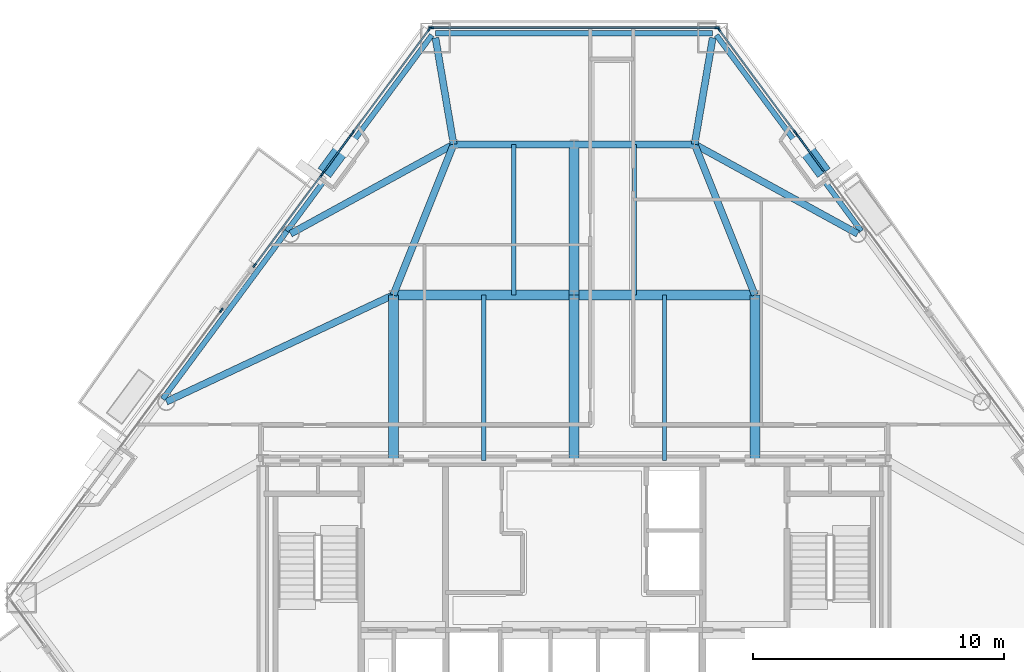
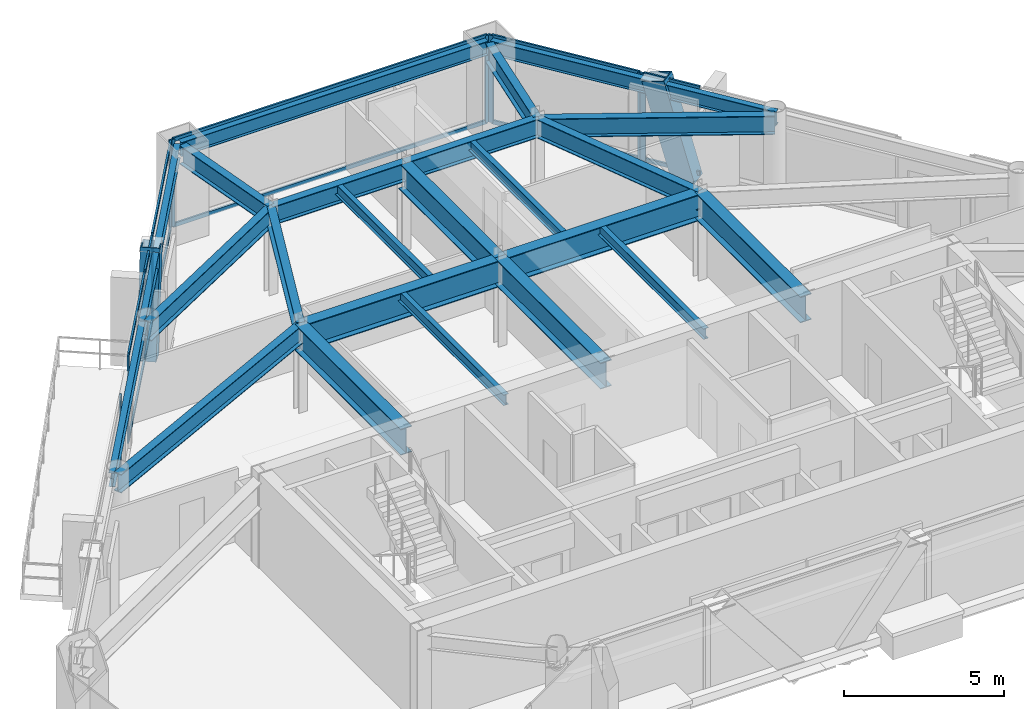
# One storey, part 4 of 11: 26 members, 23 beams, 7 elements without a shape of their own.
"""IFC4 building model written with IfcOpenShell, lengths in metres."""

from ifc_helpers import new_model, si_unit, direction, frame, origin, origin_2d, place, context, subcontext, project, spatial, rectangle, hollow_rectangle, i_section, extrude, material, layer, layer_set, material_profile, profile_set, type_object, element, aggregate, save


model = new_model("IFC4")

# Units and contexts
model_context = context("Model", 3, precision=1e-05, world=origin(), true_north=direction((0.0, 1.0)))
body_context = subcontext(model_context, "Body", "Model", "MODEL_VIEW")
ifc_project = project(units=[si_unit("LENGTHUNIT", "METRE"), si_unit("AREAUNIT", "SQUARE_METRE"), si_unit("VOLUMEUNIT", "CUBIC_METRE"), si_unit("PLANEANGLEUNIT", "RADIAN"), si_unit("MASSUNIT", "GRAM", prefix="KILO")], contexts=[model_context])

# Site, building, storey
site_placement = place(None, origin())
site = spatial("IfcSite", under=ifc_project, at=site_placement, CompositionType="ELEMENT")
building_placement = place(site_placement, origin())
building = spatial("IfcBuilding", under=site, at=building_placement, Name="Talgorran Terracotta Tower", CompositionType="ELEMENT")
storey_placement = place(building_placement, frame((0.0, 0.0, 114.0)))
storey = spatial("IfcBuildingStorey", under=building, at=storey_placement, Name="L29", CompositionType="ELEMENT", Elevation=114.0)

# Beams
ifc_material_1 = material(Name="Steel Grade 350 (350L0)", Category="steel")
ifc_material_profile_1 = material_profile(ifc_material_1, i_section(OverallWidth=0.39990234375, OverallDepth=1.0, WebThickness=0.01611328125, FlangeThickness=0.031005859375, at=origin_2d()), Name="1000WB296")
ifc_profile_set_1 = profile_set([ifc_material_profile_1], Name="Steel Grade 350 (350L0)")
beam_type_1 = type_object("IfcBeamType", Name="BM_1000WB296", PredefinedType="BEAM", material=ifc_profile_set_1)
for number, where, z_axis, x_axis, name in (
    (1, (-7.199951171875, -4.199951171875, 2.820068359375), (0.0, 1.0, 0.0), (-1.0, 0.0, 0.0), "L29 Floor Girder G01"),
    (2, (0.0, -4.199951171875, 2.820068359375), (0.0, 1.0, 0.0), (-1.0, 0.0, 0.0), "L29 Floor Girder G02"),
    (3, (7.199951171875, -4.199951171875, 2.820068359375), (0.0, 1.0, 0.0), (-1.0, 0.0, 0.0), "L29 Floor Girder G03"),
):
    element("IfcBeam", number, at=place(storey_placement, frame(where, z_axis=z_axis, x_axis=x_axis)), inside=storey, type_object=beam_type_1, Name=name, PredefinedType="BEAM", context=body_context, shape_type="SweptSolid", body=[
        extrude(i_section(OverallWidth=0.39990234375, OverallDepth=1.0, WebThickness=0.01611328125, FlangeThickness=0.031005859375, at=origin_2d()), origin(), (0.0, 0.0, 1.0), 6.599853515625),
    ])
for number, where, z_axis, x_axis, name in (
    (4, (-7.199951171875, 2.39990234375, 2.820068359375), (1.0, 0.0, 0.0), (0.0, 1.0, 0.0), "L29 Floor Girder G04"),
    (5, (0.0, 2.39990234375, 2.820068359375), (1.0, 0.0, 0.0), (0.0, 1.0, 0.0), "L29 Floor Girder G05"),
):
    element("IfcBeam", number, at=place(storey_placement, frame(where, z_axis=z_axis, x_axis=x_axis)), inside=storey, type_object=beam_type_1, Name=name, PredefinedType="BEAM", context=body_context, shape_type="SweptSolid", body=[
        extrude(i_section(OverallWidth=0.39990234375, OverallDepth=1.0, WebThickness=0.01611328125, FlangeThickness=0.031005859375, at=origin_2d()), origin(), (0.0, 0.0, 1.0), 7.199951171875),
    ])
beam_1_placement = place(storey_placement, frame((0.0, 2.39990234375, 2.820068359375), z_axis=(0.0, 1.0, 0.0), x_axis=(-1.0, 0.0, 0.0)))
element("IfcBeam", 6, at=beam_1_placement, inside=storey, type_object=beam_type_1, Name="L29 Floor Girder G09", PredefinedType="BEAM", context=body_context, shape_type="SweptSolid", body=[
    extrude(i_section(OverallWidth=0.39990234375, OverallDepth=1.0, WebThickness=0.01611328125, FlangeThickness=0.031005859375, at=origin_2d()), origin(), (0.0, 0.0, 1.0), 6.0),
])
ifc_material_2 = material(Name="Steel S355 (300PLUS)", Category="steel")
ifc_material_profile_2 = material_profile(ifc_material_2, i_section(OverallWidth=0.27490234375, OverallDepth=0.7080078125, WebThickness=0.011962890625, FlangeThickness=0.02490234375, at=origin_2d()), Name="700WB173")
ifc_profile_set_2 = profile_set([ifc_material_profile_2], Name="Steel S355 (300PLUS)")
beam_type_2 = type_object("IfcBeamType", Name="BM_700WB173", PredefinedType="BEAM", material=ifc_profile_set_2)
beam_2_placement = place(storey_placement, frame((-7.199951171875, 2.39990234375, 2.966064453125), z_axis=(-0.904850249914, -0.425729990992, 0.0), x_axis=(0.425729990992, -0.904850249914, 0.0)))
element("IfcBeam", 7, at=beam_2_placement, inside=storey, type_object=beam_type_2, Name="L29 Floor Girder G06", PredefinedType="BEAM", context=body_context, shape_type="SweptSolid", body=[
    extrude(i_section(OverallWidth=0.27490234375, OverallDepth=0.7080078125, WebThickness=0.011962890625, FlangeThickness=0.02490234375, at=origin_2d()), origin(), (0.0, 0.0, 1.0), 9.99609375),
])
for number, where, z_axis, x_axis, name in (
    (8, (-7.199951171875, 2.39990234375, 2.966064453125), (0.371377648723, 0.928481901832, 0.0), (-0.928481901832, 0.371377648723, 0.0), "L29 Floor Girder G08"),
    (9, (7.199951171875, 2.39990234375, 2.966064453125), (-0.371377648723, 0.928481901832, 0.0), (-0.928481901832, -0.371377648723, 0.0), "L29 Floor Girder G10"),
):
    element("IfcBeam", number, at=place(storey_placement, frame(where, z_axis=z_axis, x_axis=x_axis)), inside=storey, type_object=beam_type_2, Name=name, PredefinedType="BEAM", context=body_context, shape_type="SweptSolid", body=[
        extrude(i_section(OverallWidth=0.27490234375, OverallDepth=0.7080078125, WebThickness=0.011962890625, FlangeThickness=0.02490234375, at=origin_2d()), origin(), (0.0, 0.0, 1.0), 6.462158203125),
    ])
for number, where, z_axis, x_axis, name in (
    (10, (-4.800048828125, 8.39990234375, 2.966064453125), (1.0, 0.0, 0.0), (0.0, 1.0, 0.0), "L29 Floor Girder G11"),
    (11, (0.0, 8.39990234375, 2.966064453125), (1.0, 0.0, 0.0), (0.0, 1.0, 0.0), "L29 Floor Girder G12"),
):
    element("IfcBeam", number, at=place(storey_placement, frame(where, z_axis=z_axis, x_axis=x_axis)), inside=storey, type_object=beam_type_2, Name=name, PredefinedType="BEAM", context=body_context, shape_type="SweptSolid", body=[
        extrude(i_section(OverallWidth=0.27490234375, OverallDepth=0.7080078125, WebThickness=0.011962890625, FlangeThickness=0.02490234375, at=origin_2d()), origin(), (0.0, 0.0, 1.0), 4.800048828125),
    ])
for number, where, z_axis, x_axis, name in (
    (12, (-4.800048828125, 8.39990234375, 2.966064453125), (-0.876707979091, -0.481022992587, 0.0), (0.481022992587, -0.876707979091, 0.0), "L29 Floor Girder G13"),
    (13, (4.800048828125, 8.39990234375, 2.966064453125), (0.876707979091, -0.481022992587, 0.0), (0.481022992587, 0.876707979091, 0.0), "L29 Floor Girder G14"),
):
    element("IfcBeam", number, at=place(storey_placement, frame(where, z_axis=z_axis, x_axis=x_axis)), inside=storey, type_object=beam_type_2, Name=name, PredefinedType="BEAM", context=body_context, shape_type="SweptSolid", body=[
        extrude(i_section(OverallWidth=0.27490234375, OverallDepth=0.7080078125, WebThickness=0.011962890625, FlangeThickness=0.02490234375, at=origin_2d()), origin(), (0.0, 0.0, 1.0), 7.40966796875),
    ])
for number, where, z_axis, x_axis, name in (
    (14, (-4.800048828125, 8.39990234375, 2.966064453125), (-0.167884989688, 0.985806588656, 0.0), (-0.985806588656, -0.167884989688, 0.0), "L29 Floor Girder G15"),
    (15, (4.800048828125, 8.39990234375, 2.966064453125), (0.167884989688, 0.985806588656, 0.0), (-0.985806588656, 0.167884989688, 0.0), "L29 Floor Girder G16"),
):
    element("IfcBeam", number, at=place(storey_placement, frame(where, z_axis=z_axis, x_axis=x_axis)), inside=storey, type_object=beam_type_2, Name=name, PredefinedType="BEAM", context=body_context, shape_type="SweptSolid", body=[
        extrude(i_section(OverallWidth=0.27490234375, OverallDepth=0.7080078125, WebThickness=0.011962890625, FlangeThickness=0.02490234375, at=origin_2d()), origin(), (0.0, 0.0, 1.0), 4.302978515625),
    ])
ifc_material_profile_3 = material_profile(ifc_material_2, i_section(OverallWidth=0.177734375, OverallDepth=0.406494140625, WebThickness=0.0078125, FlangeThickness=0.0126953125, at=origin_2d()), Name="410UB59.7")
ifc_profile_set_3 = profile_set([ifc_material_profile_3], Name="Steel S355 (300PLUS)")
beam_type_3 = type_object("IfcBeamType", Name="BM_JS_410UB60", PredefinedType="JOIST", material=ifc_profile_set_3)
for number, where, z_axis, x_axis, name in (
    (16, (-3.60009765625, -4.199951171875, 3.11669921875), (0.0, 1.0, 0.0), (-1.0, 0.0, 0.0), "L29 Secondary Joist J01"),
    (17, (3.60009765625, -4.199951171875, 3.11669921875), (0.0, 1.0, 0.0), (-1.0, 0.0, 0.0), "L29 Secondary Joist J02"),
):
    element("IfcBeam", number, at=place(storey_placement, frame(where, z_axis=z_axis, x_axis=x_axis)), inside=storey, type_object=beam_type_3, Name=name, PredefinedType="JOIST", context=body_context, shape_type="SweptSolid", body=[
        extrude(i_section(OverallWidth=0.177734375, OverallDepth=0.406494140625, WebThickness=0.0078125, FlangeThickness=0.0126953125, at=origin_2d()), origin(), (0.0, 0.0, 1.0), 6.599853515625),
    ])
for number, where, z_axis, x_axis, name in (
    (18, (-2.39990234375, 2.39990234375, 3.11669921875), (0.0, 1.0, 0.0), (-1.0, 0.0, 0.0), "L29 Secondary Joist J03"),
    (19, (2.39990234375, 2.39990234375, 3.11669921875), (0.0, 1.0, 0.0), (-1.0, 0.0, 0.0), "L29 Secondary Joist J04"),
):
    element("IfcBeam", number, at=place(storey_placement, frame(where, z_axis=z_axis, x_axis=x_axis)), inside=storey, type_object=beam_type_3, Name=name, PredefinedType="JOIST", context=body_context, shape_type="SweptSolid", body=[
        extrude(i_section(OverallWidth=0.177734375, OverallDepth=0.406494140625, WebThickness=0.0078125, FlangeThickness=0.0126953125, at=origin_2d()), origin(), (0.0, 0.0, 1.0), 6.0),
    ])
ifc_material_profile_4 = material_profile(ifc_material_2, i_section(OverallWidth=0.209228515625, OverallDepth=0.532958984375, WebThickness=0.01025390625, FlangeThickness=0.015625, at=origin_2d()), Name="530UB92.4")
ifc_profile_set_4 = profile_set([ifc_material_profile_4], Name="Steel S355 (300PLUS)")
beam_type_4 = type_object("IfcBeamType", Name="BM_SP_530UB92", PredefinedType="SPANDREL", material=ifc_profile_set_4)
beam_3_placement = place(storey_placement, frame((11.44091796875, 4.942626953125, 3.053466796875), z_axis=(-0.594651915905, 0.803983270293, 0.0), x_axis=(-0.803983270293, -0.594651915905, 0.0)))
element("IfcBeam", 20, at=beam_3_placement, inside=storey, type_object=beam_type_4, Name="L29 Perimeter Spandrel Beam FC4-MC5", PredefinedType="SPANDREL", context=body_context, shape_type="SweptSolid", body=[
    extrude(i_section(OverallWidth=0.209228515625, OverallDepth=0.532958984375, WebThickness=0.01025390625, FlangeThickness=0.015625, at=origin_2d()), origin(), (0.0, 0.0, 1.0), 9.709228515625),
])
beam_4_placement = place(storey_placement, frame((5.5224609375, 12.822021484375, 3.053466796875), z_axis=(-1.0, 0.0, 0.0), x_axis=(0.0, -1.0, 0.0)))
element("IfcBeam", 21, at=beam_4_placement, inside=storey, type_object=beam_type_4, Name="L29 Perimeter Spandrel Beam MC5-MC6", PredefinedType="SPANDREL", context=body_context, shape_type="SweptSolid", body=[
    extrude(i_section(OverallWidth=0.209228515625, OverallDepth=0.532958984375, WebThickness=0.01025390625, FlangeThickness=0.015625, at=origin_2d()), origin(), (0.0, 0.0, 1.0), 11.044921875),
])
beam_5_placement = place(storey_placement, frame((-5.667236328125, 12.748779296875, 3.053466796875), z_axis=(-0.594651915905, -0.803983270293, 0.0), x_axis=(0.803983270293, -0.594651915905, 0.0)))
element("IfcBeam", 22, at=beam_5_placement, inside=storey, type_object=beam_type_4, Name="L29 Perimeter Spandrel Beam MC6-FC5", PredefinedType="SPANDREL", context=body_context, shape_type="SweptSolid", body=[
    extrude(i_section(OverallWidth=0.209228515625, OverallDepth=0.532958984375, WebThickness=0.01025390625, FlangeThickness=0.015625, at=origin_2d()), origin(), (0.0, 0.0, 1.0), 9.709228515625),
])
beam_6_placement = place(storey_placement, frame((-11.44091796875, 4.942626953125, 3.053466796875), z_axis=(-0.594631062308, -0.803998693866, 0.0), x_axis=(0.803998693866, -0.594631062308, 0.0)))
element("IfcBeam", 23, at=beam_6_placement, inside=storey, type_object=beam_type_4, Name="L29 Perimeter Spandrel Beam FC5-FC6", PredefinedType="SPANDREL", context=body_context, shape_type="SweptSolid", body=[
    extrude(i_section(OverallWidth=0.209228515625, OverallDepth=0.532958984375, WebThickness=0.01025390625, FlangeThickness=0.015625, at=origin_2d()), origin(), (0.0, 0.0, 1.0), 8.322265625),
])

# Members
ifc_material_profile_5 = material_profile(ifc_material_1, hollow_rectangle(XDim=0.6201171875, YDim=0.780029296875, WallThickness=0.0419921875, at=origin_2d()), Name="WBOX780X620X42")
ifc_profile_set_5 = profile_set([ifc_material_profile_5], Name="Steel Grade 350 (350L0)")
member_type_1 = type_object("IfcMemberType", Name="MB_MEGA_780", PredefinedType="BRACE", material=ifc_profile_set_5)
for number, where, z_axis, x_axis, name in (
    (24, (9.72705078125, 7.5625, -0.27001953125), (-0.164880757286, 0.222890752175, 0.960798651369), (-0.803942607238, -0.594706889372, 0.0), "L29 Exterior Face Mega-Brace MB-2 (NEU)"),
    (25, (-9.72705078125, 7.5625, -0.27001953125), (0.164880757286, 0.222890752175, 0.960798651369), (-0.803942607238, 0.594706889372, 0.0), "L29 Exterior Face Mega-Brace MB-2 (NWU)"),
):
    element("IfcMember", number, at=place(storey_placement, frame(where, z_axis=z_axis, x_axis=x_axis)), inside=storey, type_object=member_type_1, Name=name, PredefinedType="BRACE", context=body_context, shape_type="SweptSolid", body=[
        extrude(hollow_rectangle(XDim=0.6201171875, YDim=0.780029296875, WallThickness=0.0419921875, at=origin_2d()), origin(), (0.0, 0.0, 1.0), 3.762451171875),
    ])

# Curtain wall, member
ifc_material_3 = material(Name="Unitised Low-E Double Glazing", Category="glass")
ifc_layer = layer(ifc_material_3, 0.199951171875, Name="CW_SYS2_RES_LOW")
ifc_layer_set = layer_set([ifc_layer], Name="Unitised Low-E Double Glazing")
curtain_wall_type = type_object("IfcCurtainWallType", Name="CW_SYS2_RES_LOW", PredefinedType="NOTDEFINED", material=ifc_layer_set)
curtain_wall_1_placement = place(storey_placement, origin())
curtain_wall_1 = element("IfcCurtainWall", 26, at=curtain_wall_1_placement, inside=storey, type_object=curtain_wall_type, Name="CW-L29-F41B", PredefinedType="NOTDEFINED")
ifc_material_4 = material(Name="Architectural Aluminium 6063-T6", Category="aluminium")
ifc_material_profile_6 = material_profile(ifc_material_4, rectangle(XDim=0.06494140625, YDim=0.18505859375, at=origin_2d()), Name="CWM65X185")
ifc_profile_set_6 = profile_set([ifc_material_profile_6], Name="Architectural Aluminium 6063-T6")
member_type_2 = type_object("IfcMemberType", Name="MUL_65X185", PredefinedType="MULLION", material=ifc_profile_set_6)
member_1_placement = place(storey_placement, frame((8.84912109375, 8.816650390625, 0.0), z_axis=(0.0, 0.0, 1.0), x_axis=(-0.803990312239, -0.594642394912, 0.0)))
member_1 = element("IfcMember", 27, at=member_1_placement, type_object=member_type_2, Name="CW-L29-41B mullion 2", PredefinedType="MULLION", context=body_context, shape_type="SweptSolid", body=[
    extrude(rectangle(XDim=0.06494140625, YDim=0.18505859375, at=origin_2d()), origin(), (0.0, 0.0, 1.0), 3.320068359375),
])

# Curtain wall, members
curtain_wall_2_placement = place(storey_placement, origin())
curtain_wall_2 = element("IfcCurtainWall", 28, at=curtain_wall_2_placement, inside=storey, type_object=curtain_wall_type, Name="CW-L29-F41C", PredefinedType="NOTDEFINED")
member_2_placement = place(storey_placement, frame((8.8046875, 8.876953125, 0.0), z_axis=(0.0, 0.0, 1.0), x_axis=(-0.803997721655, -0.594632376829, 0.0)))
member_2 = element("IfcMember", 29, at=member_2_placement, type_object=member_type_2, Name="CW-L29-41C mullion 1", PredefinedType="MULLION", context=body_context, shape_type="SweptSolid", body=[
    extrude(rectangle(XDim=0.06494140625, YDim=0.18505859375, at=origin_2d()), origin(), (0.0, 0.0, 1.0), 3.320068359375),
])
member_3_placement = place(storey_placement, frame((5.767333984375, 12.983642578125, 0.0), z_axis=(0.0, 0.0, 1.0), x_axis=(-0.803997721655, -0.594632376829, 0.0)))
member_3 = element("IfcMember", 30, at=member_3_placement, type_object=member_type_2, Name="CW-L29-41C mullion 2", PredefinedType="MULLION", context=body_context, shape_type="SweptSolid", body=[
    extrude(rectangle(XDim=0.06494140625, YDim=0.18505859375, at=origin_2d()), origin(), (0.0, 0.0, 1.0), 3.320068359375),
])

curtain_wall_3_placement = place(storey_placement, origin())
curtain_wall_3 = element("IfcCurtainWall", 31, at=curtain_wall_3_placement, inside=storey, type_object=curtain_wall_type, Name="CW-L29-F4", PredefinedType="NOTDEFINED")
member_4_placement = place(storey_placement, frame((5.691650390625, 13.0419921875, 0.0), z_axis=(0.0, 0.0, 1.0), x_axis=(0.0, -1.0, 0.0)))
member_4 = element("IfcMember", 32, at=member_4_placement, type_object=member_type_2, Name="CW-L29-4 mullion 1", PredefinedType="MULLION", context=body_context, shape_type="SweptSolid", body=[
    extrude(rectangle(XDim=0.06494140625, YDim=0.18505859375, at=origin_2d()), origin(), (0.0, 0.0, 1.0), 3.320068359375),
])
member_5_placement = place(storey_placement, frame((-5.691650390625, 13.0419921875, 0.0), z_axis=(0.0, 0.0, 1.0), x_axis=(0.0, -1.0, 0.0)))
member_5 = element("IfcMember", 33, at=member_5_placement, type_object=member_type_2, Name="CW-L29-4 mullion 2", PredefinedType="MULLION", context=body_context, shape_type="SweptSolid", body=[
    extrude(rectangle(XDim=0.06494140625, YDim=0.18505859375, at=origin_2d()), origin(), (0.0, 0.0, 1.0), 3.320068359375),
])

curtain_wall_4_placement = place(storey_placement, origin())
curtain_wall_4 = element("IfcCurtainWall", 34, at=curtain_wall_4_placement, inside=storey, type_object=curtain_wall_type, Name="CW-L29-F60", PredefinedType="NOTDEFINED")
member_6_placement = place(storey_placement, frame((-5.767333984375, 12.983642578125, 0.0), z_axis=(0.0, 0.0, 1.0), x_axis=(0.803997721655, -0.594632376829, 0.0)))
member_6 = element("IfcMember", 35, at=member_6_placement, type_object=member_type_2, Name="CW-L29-60 mullion 1", PredefinedType="MULLION", context=body_context, shape_type="SweptSolid", body=[
    extrude(rectangle(XDim=0.06494140625, YDim=0.18505859375, at=origin_2d()), origin(), (0.0, 0.0, 1.0), 3.320068359375),
])
member_7_placement = place(storey_placement, frame((-8.8046875, 8.876953125, 0.0), z_axis=(0.0, 0.0, 1.0), x_axis=(0.803997721655, -0.594632376829, 0.0)))
member_7 = element("IfcMember", 36, at=member_7_placement, type_object=member_type_2, Name="CW-L29-60 mullion 2", PredefinedType="MULLION", context=body_context, shape_type="SweptSolid", body=[
    extrude(rectangle(XDim=0.06494140625, YDim=0.18505859375, at=origin_2d()), origin(), (0.0, 0.0, 1.0), 3.320068359375),
])

curtain_wall_5_placement = place(storey_placement, origin())
curtain_wall_5 = element("IfcCurtainWall", 37, at=curtain_wall_5_placement, inside=storey, type_object=curtain_wall_type, Name="CW-L29-F60B", PredefinedType="NOTDEFINED")
member_8_placement = place(storey_placement, frame((-8.84912109375, 8.816650390625, 0.0), z_axis=(0.0, 0.0, 1.0), x_axis=(0.804013795749, -0.59461064256, 0.0)))
member_8 = element("IfcMember", 38, at=member_8_placement, type_object=member_type_2, Name="CW-L29-60B mullion 1", PredefinedType="MULLION", context=body_context, shape_type="SweptSolid", body=[
    extrude(rectangle(XDim=0.06494140625, YDim=0.18505859375, at=origin_2d()), origin(), (0.0, 0.0, 1.0), 3.320068359375),
])
member_9_placement = place(storey_placement, frame((-10.02099609375, 7.232177734375, 0.0), z_axis=(0.0, 0.0, 1.0), x_axis=(0.804013795749, -0.59461064256, 0.0)))
member_9 = element("IfcMember", 39, at=member_9_placement, type_object=member_type_2, Name="CW-L29-60B mullion 2", PredefinedType="MULLION", context=body_context, shape_type="SweptSolid", body=[
    extrude(rectangle(XDim=0.06494140625, YDim=0.18505859375, at=origin_2d()), origin(), (0.0, 0.0, 1.0), 3.320068359375),
])

curtain_wall_6_placement = place(storey_placement, origin())
curtain_wall_6 = element("IfcCurtainWall", 40, at=curtain_wall_6_placement, inside=storey, type_object=curtain_wall_type, Name="CW-L29-F60C", PredefinedType="NOTDEFINED")
member_10_placement = place(storey_placement, frame((-10.065673828125, 7.171875, 0.0), z_axis=(0.0, 0.0, 1.0), x_axis=(0.803998432889, -0.594631415174, 0.0)))
member_10 = element("IfcMember", 41, at=member_10_placement, type_object=member_type_2, Name="CW-L29-60C mullion 1", PredefinedType="MULLION", context=body_context, shape_type="SweptSolid", body=[
    extrude(rectangle(XDim=0.06494140625, YDim=0.18505859375, at=origin_2d()), origin(), (0.0, 0.0, 1.0), 3.320068359375),
])
member_11_placement = place(storey_placement, frame((-12.725830078125, 3.5751953125, 0.0), z_axis=(0.0, 0.0, 1.0), x_axis=(0.803998432889, -0.594631415174, 0.0)))
member_11 = element("IfcMember", 42, at=member_11_placement, type_object=member_type_2, Name="CW-L29-60C mullion 2", PredefinedType="MULLION", context=body_context, shape_type="SweptSolid", body=[
    extrude(rectangle(XDim=0.06494140625, YDim=0.18505859375, at=origin_2d()), origin(), (0.0, 0.0, 1.0), 3.320068359375),
])

# Curtain wall, member
curtain_wall_7_placement = place(storey_placement, origin())
curtain_wall_7 = element("IfcCurtainWall", 43, at=curtain_wall_7_placement, inside=storey, type_object=curtain_wall_type, Name="CW-L29-F61", PredefinedType="NOTDEFINED")
member_12_placement = place(storey_placement, frame((-14.048828125, 1.786376953125, 0.0), z_axis=(0.0, 0.0, 1.0), x_axis=(0.803995431668, -0.59463547309, 0.0)))
member_12 = element("IfcMember", 44, at=member_12_placement, type_object=member_type_2, Name="CW-L29-61 mullion 1", PredefinedType="MULLION", context=body_context, shape_type="SweptSolid", body=[
    extrude(rectangle(XDim=0.06494140625, YDim=0.18505859375, at=origin_2d()), origin(), (0.0, 0.0, 1.0), 3.320068359375),
])
aggregate(curtain_wall_7, [member_12])

# Member
ifc_material_profile_7 = material_profile(ifc_material_4, rectangle(XDim=0.06494140625, YDim=0.14990234375, at=origin_2d()), Name="CWT65X150")
ifc_profile_set_7 = profile_set([ifc_material_profile_7], Name="Architectural Aluminium 6063-T6")
member_type_3 = type_object("IfcMemberType", Name="TRN_65X150", PredefinedType="USERDEFINED", material=ifc_profile_set_7)
member_13_placement = place(storey_placement, frame((10.001708984375, 7.25830078125, 0.032470703125), z_axis=(-0.594657571918, 0.803979086893, 0.0), x_axis=(-0.803979086893, -0.594657571918, 0.0)))
member_13 = element("IfcMember", 45, at=member_13_placement, type_object=member_type_3, Name="CW-L29-41B transom 1.1", ObjectType="TRANSOM", PredefinedType="USERDEFINED", context=body_context, shape_type="SweptSolid", body=[
    extrude(rectangle(XDim=0.06494140625, YDim=0.14990234375, at=origin_2d()), origin(), (0.0, 0.0, 1.0), 1.90576171875),
])

member_14_placement = place(storey_placement, frame((10.001708984375, 7.25830078125, 3.28759765625), z_axis=(-0.594657571918, 0.803979086893, 0.0), x_axis=(-0.803979086893, -0.594657571918, 0.0)))
member_14 = element("IfcMember", 46, at=member_14_placement, type_object=member_type_3, Name="CW-L29-41B transom 1.2", ObjectType="TRANSOM", PredefinedType="USERDEFINED", context=body_context, shape_type="SweptSolid", body=[
    extrude(rectangle(XDim=0.06494140625, YDim=0.14990234375, at=origin_2d()), origin(), (0.0, 0.0, 1.0), 1.90576171875),
])

aggregate(curtain_wall_1, [member_1, member_13, member_14])

member_15_placement = place(storey_placement, frame((8.78515625, 8.903076171875, 0.032470703125), z_axis=(-0.594618369156, 0.804008081466, 0.0), x_axis=(-0.804008081466, -0.594618369156, 0.0)))
member_15 = element("IfcMember", 47, at=member_15_placement, type_object=member_type_3, Name="CW-L29-41C transom 1.1", ObjectType="TRANSOM", PredefinedType="USERDEFINED", context=body_context, shape_type="SweptSolid", body=[
    extrude(rectangle(XDim=0.06494140625, YDim=0.14990234375, at=origin_2d()), origin(), (0.0, 0.0, 1.0), 5.042724609375),
])

member_16_placement = place(storey_placement, frame((8.78515625, 8.903076171875, 3.28759765625), z_axis=(-0.594618369156, 0.804008081466, 0.0), x_axis=(-0.804008081466, -0.594618369156, 0.0)))
member_16 = element("IfcMember", 48, at=member_16_placement, type_object=member_type_3, Name="CW-L29-41C transom 1.2", ObjectType="TRANSOM", PredefinedType="USERDEFINED", context=body_context, shape_type="SweptSolid", body=[
    extrude(rectangle(XDim=0.06494140625, YDim=0.14990234375, at=origin_2d()), origin(), (0.0, 0.0, 1.0), 5.042724609375),
])

aggregate(curtain_wall_2, [member_2, member_3, member_15, member_16])

member_17_placement = place(storey_placement, frame((5.6591796875, 13.0419921875, 0.032470703125), z_axis=(-1.0, 0.0, 0.0), x_axis=(0.0, -1.0, 0.0)))
member_17 = element("IfcMember", 49, at=member_17_placement, type_object=member_type_3, Name="CW-L29-4 transom 1.1", ObjectType="TRANSOM", PredefinedType="USERDEFINED", context=body_context, shape_type="SweptSolid", body=[
    extrude(rectangle(XDim=0.06494140625, YDim=0.14990234375, at=origin_2d()), origin(), (0.0, 0.0, 1.0), 11.318359375),
])

member_18_placement = place(storey_placement, frame((5.6591796875, 13.0419921875, 3.28759765625), z_axis=(-1.0, 0.0, 0.0), x_axis=(0.0, -1.0, 0.0)))
member_18 = element("IfcMember", 50, at=member_18_placement, type_object=member_type_3, Name="CW-L29-4 transom 1.2", ObjectType="TRANSOM", PredefinedType="USERDEFINED", context=body_context, shape_type="SweptSolid", body=[
    extrude(rectangle(XDim=0.06494140625, YDim=0.14990234375, at=origin_2d()), origin(), (0.0, 0.0, 1.0), 11.318359375),
])

aggregate(curtain_wall_3, [member_4, member_5, member_17, member_18])

member_19_placement = place(storey_placement, frame((-5.78662109375, 12.95751953125, 0.032470703125), z_axis=(-0.594618369156, -0.804008081466, 0.0), x_axis=(0.804008081466, -0.594618369156, 0.0)))
member_19 = element("IfcMember", 51, at=member_19_placement, type_object=member_type_3, Name="CW-L29-60 transom 1.1", ObjectType="TRANSOM", PredefinedType="USERDEFINED", context=body_context, shape_type="SweptSolid", body=[
    extrude(rectangle(XDim=0.06494140625, YDim=0.14990234375, at=origin_2d()), origin(), (0.0, 0.0, 1.0), 5.042724609375),
])

member_20_placement = place(storey_placement, frame((-5.78662109375, 12.95751953125, 3.28759765625), z_axis=(-0.594618369156, -0.804008081466, 0.0), x_axis=(0.804008081466, -0.594618369156, 0.0)))
member_20 = element("IfcMember", 52, at=member_20_placement, type_object=member_type_3, Name="CW-L29-60 transom 1.2", ObjectType="TRANSOM", PredefinedType="USERDEFINED", context=body_context, shape_type="SweptSolid", body=[
    extrude(rectangle(XDim=0.06494140625, YDim=0.14990234375, at=origin_2d()), origin(), (0.0, 0.0, 1.0), 5.042724609375),
])

aggregate(curtain_wall_4, [member_6, member_7, member_19, member_20])

member_21_placement = place(storey_placement, frame((-8.86865234375, 8.79052734375, 0.032470703125), z_axis=(-0.594574758455, -0.8040403327, 0.0), x_axis=(0.8040403327, -0.594574758455, 0.0)))
member_21 = element("IfcMember", 53, at=member_21_placement, type_object=member_type_3, Name="CW-L29-60B transom 1.1", ObjectType="TRANSOM", PredefinedType="USERDEFINED", context=body_context, shape_type="SweptSolid", body=[
    extrude(rectangle(XDim=0.06494140625, YDim=0.14990234375, at=origin_2d()), origin(), (0.0, 0.0, 1.0), 1.90576171875),
])

member_22_placement = place(storey_placement, frame((-8.86865234375, 8.79052734375, 3.28759765625), z_axis=(-0.594574758455, -0.8040403327, 0.0), x_axis=(0.8040403327, -0.594574758455, 0.0)))
member_22 = element("IfcMember", 54, at=member_22_placement, type_object=member_type_3, Name="CW-L29-60B transom 1.2", ObjectType="TRANSOM", PredefinedType="USERDEFINED", context=body_context, shape_type="SweptSolid", body=[
    extrude(rectangle(XDim=0.06494140625, YDim=0.14990234375, at=origin_2d()), origin(), (0.0, 0.0, 1.0), 1.90576171875),
])

aggregate(curtain_wall_5, [member_8, member_9, member_21, member_22])

member_23_placement = place(storey_placement, frame((-10.0849609375, 7.145751953125, 0.032470703125), z_axis=(-0.594652621211, -0.803982748625, 0.0), x_axis=(0.803982748625, -0.594652621211, 0.0)))
member_23 = element("IfcMember", 55, at=member_23_placement, type_object=member_type_3, Name="CW-L29-60C transom 1.1", ObjectType="TRANSOM", PredefinedType="USERDEFINED", context=body_context, shape_type="SweptSolid", body=[
    extrude(rectangle(XDim=0.06494140625, YDim=0.14990234375, at=origin_2d()), origin(), (0.0, 0.0, 1.0), 4.40869140625),
])

member_24_placement = place(storey_placement, frame((-10.0849609375, 7.145751953125, 3.28759765625), z_axis=(-0.594652621211, -0.803982748625, 0.0), x_axis=(0.803982748625, -0.594652621211, 0.0)))
member_24 = element("IfcMember", 56, at=member_24_placement, type_object=member_type_3, Name="CW-L29-60C transom 1.2", ObjectType="TRANSOM", PredefinedType="USERDEFINED", context=body_context, shape_type="SweptSolid", body=[
    extrude(rectangle(XDim=0.06494140625, YDim=0.14990234375, at=origin_2d()), origin(), (0.0, 0.0, 1.0), 4.40869140625),
])

aggregate(curtain_wall_6, [member_10, member_11, member_23, member_24])

save(model, "model.ifc")
